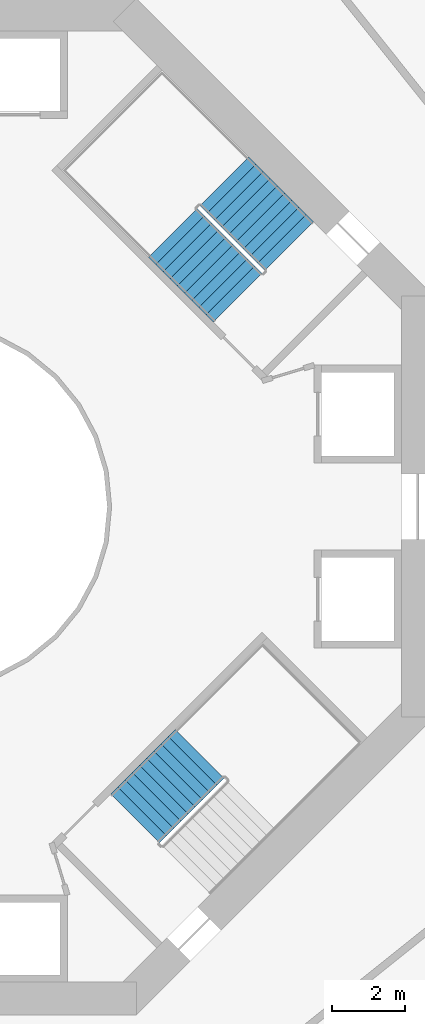
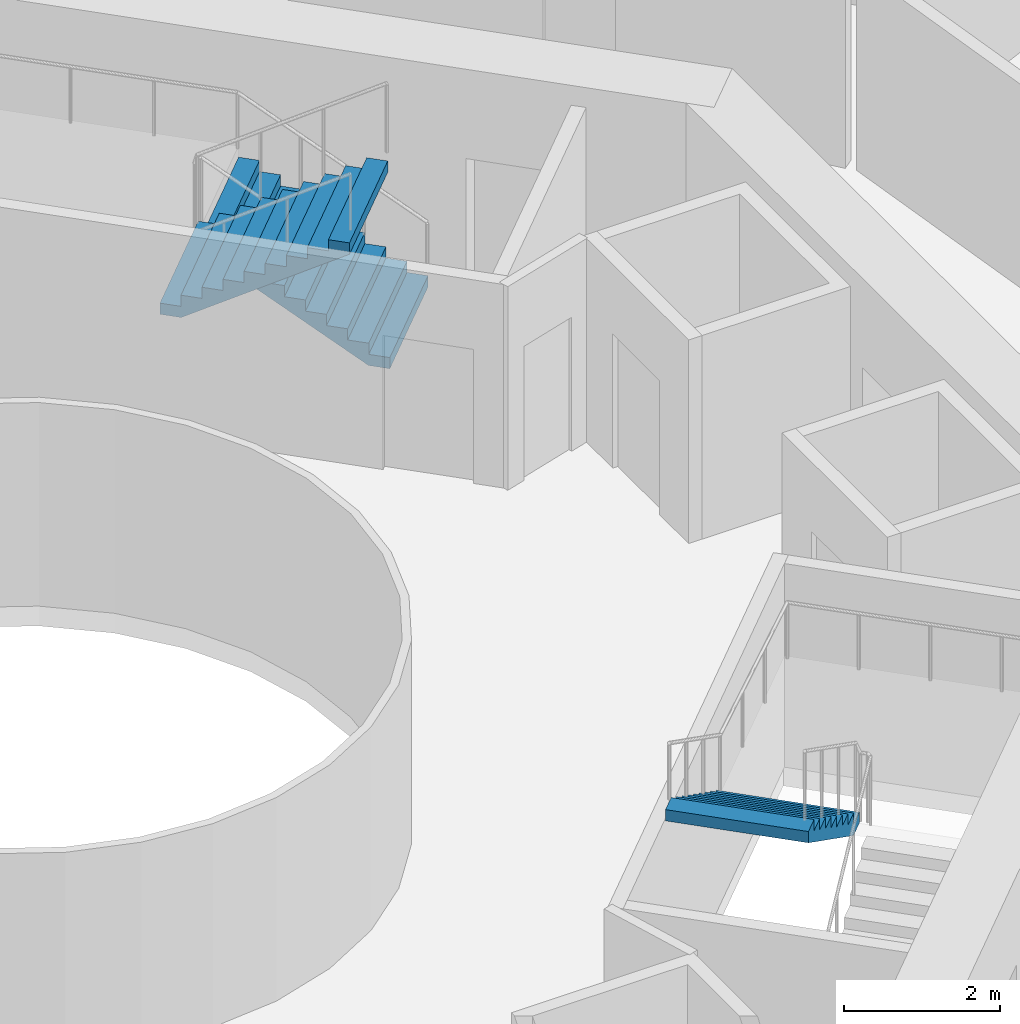
# One storey, part 27 of 28: 3 stair flights, 2 elements without a shape of their own.
"""IFC4 building model written with IfcOpenShell, lengths in metres."""

from ifc_helpers import new_model, si_unit, direction, frame, origin, place, context, subcontext, project, spatial, triangles, material, type_object, element, aggregate, save


model = new_model("IFC4")

# Units and contexts
model_context = context("Model", 3, precision=1e-05, world=origin(), true_north=direction((0.0, 1.0)))
body_context = subcontext(model_context, "Body", "Model", "MODEL_VIEW")
ifc_project = project(units=[si_unit("LENGTHUNIT", "METRE"), si_unit("AREAUNIT", "SQUARE_METRE"), si_unit("VOLUMEUNIT", "CUBIC_METRE"), si_unit("PLANEANGLEUNIT", "RADIAN"), si_unit("MASSUNIT", "GRAM", prefix="KILO")], contexts=[model_context])

# Site, building, storey
site_placement = place(None, origin())
site = spatial("IfcSite", under=ifc_project, at=site_placement, CompositionType="ELEMENT")
building_placement = place(site_placement, origin())
building = spatial("IfcBuilding", under=site, at=building_placement, Name="Verdalira Terraces Hotel", CompositionType="ELEMENT")
storey_placement = place(building_placement, frame((0.0, 0.0, 68.0)))
storey = spatial("IfcBuildingStorey", under=building, at=storey_placement, Name="L15", CompositionType="ELEMENT", Elevation=68.0)

# Stair, stair flights
ifc_material_1 = material(Name="Concrete C40", Category="concrete")
stair_type = type_object("IfcStairType", Name="Core stair 20 risers 1900 mm wide", PredefinedType="HALF_TURN_STAIR", material=ifc_material_1)
stair_1_placement = place(storey_placement, origin())
stair_1 = element("IfcStair", 1, at=stair_1_placement, inside=storey, type_object=stair_type, Name="L15 Exit stair ST1", PredefinedType="HALF_TURN_STAIR")
ifc_material_2 = material(Name="Concrete C40", Category="concrete")
stair_flight_type = type_object("IfcStairFlightType", Name="Core stair flight 20 risers 1900 mm wide", PredefinedType="STRAIGHT", material=ifc_material_2)
stair_flight_1_placement = place(storey_placement, frame((10.005615, 7.177246, 0.0), z_axis=(0.0, 0.0, 1.0), x_axis=(-0.707106781, 0.707106781, 0.0)))
stair_flight_1 = element("IfcStairFlight", 2, at=stair_flight_1_placement, type_object=stair_flight_type, Name="ST1 flight 1", NumberOfRisers=10, NumberOfTreads=9, PredefinedType="STRAIGHT", RiserHeight=0.175, TreadLength=0.28, context=body_context, shape_type="Tessellation", body=[
    triangles([(0.0, 0.949951, 0.0), (0.282715, 0.949951, 0.0), (2.52002, 0.949951, 1.398193), (0.0, -0.949951, 0.0), (0.282715, -0.949951, 0.0), (2.52002, -0.949951, 1.398193), (2.52002, 0.949951, 1.574951), (2.23999, 0.949951, 1.574951), (2.52002, -0.949951, 1.574951), (2.23999, -0.949951, 1.574951), (2.23999, 0.949951, 1.399902), (2.23999, -0.949951, 1.399902), (1.959961, 0.949951, 1.399902), (1.959961, -0.949951, 1.399902), (1.959961, 0.949951, 1.225098), (1.959961, -0.949951, 1.225098), (1.679932, 0.949951, 1.225098), (1.679932, 0.949951, 1.050049), (1.679932, -0.949951, 1.225098), (1.679932, -0.949951, 1.050049), (1.399902, 0.949951, 1.050049), (1.399902, 0.949951, 0.875), (1.399902, -0.949951, 1.050049), (1.399902, -0.949951, 0.875), (1.120117, 0.949951, 0.875), (1.120117, 0.949951, 0.699951), (1.120117, -0.949951, 0.875), (1.120117, -0.949951, 0.699951), (0.840088, 0.949951, 0.699951), (0.840088, 0.949951, 0.524902), (0.840088, -0.949951, 0.699951), (0.840088, -0.949951, 0.524902), (0.560059, 0.949951, 0.524902), (0.560059, 0.949951, 0.350098), (0.560059, -0.949951, 0.524902), (0.560059, -0.949951, 0.350098), (0.280029, 0.949951, 0.350098), (0.280029, 0.949951, 0.175049), (0.280029, -0.949951, 0.350098), (0.280029, -0.949951, 0.175049), (0.0, 0.949951, 0.175049), (0.0, -0.949951, 0.175049), (0.0, -0.890579, 0.0), (0.0, -0.890579, 0.175049), (0.0, -0.831207, 0.0), (0.0, -0.831207, 0.175049), (0.0, -0.771835, 0.0), (0.0, -0.771835, 0.175049), (0.0, -0.712463, 0.0), (0.0, -0.712463, 0.175049), (0.0, -0.653091, 0.0), (0.0, -0.653091, 0.175049), (0.0, -0.593719, 0.0), (0.0, -0.593719, 0.175049), (0.0, -0.534348, 0.0), (0.0, -0.534348, 0.175049), (0.0, -0.474976, 0.0), (0.0, -0.474976, 0.175049), (0.0, -0.415604, 0.0), (0.0, -0.415604, 0.175049), (0.0, -0.356232, 0.0), (0.0, -0.356232, 0.175049), (0.0, -0.29686, 0.0), (0.0, -0.29686, 0.175049), (0.0, -0.237488, 0.0), (0.0, -0.237488, 0.175049), (0.0, -0.178116, 0.0), (0.0, -0.178116, 0.175049), (0.0, -0.118744, 0.0), (0.0, -0.118744, 0.175049), (0.0, -0.059372, 0.0), (0.0, -0.059372, 0.175049), (0.0, 0.0, 0.0), (0.0, 0.0, 0.175049), (0.0, 0.059372, 0.0), (0.0, 0.059372, 0.175049), (0.0, 0.118744, 0.0), (0.0, 0.118744, 0.175049), (0.0, 0.178116, 0.0), (0.0, 0.178116, 0.175049), (0.0, 0.237488, 0.0), (0.0, 0.237488, 0.175049), (0.0, 0.29686, 0.0), (0.0, 0.29686, 0.175049), (0.0, 0.356232, 0.0), (0.0, 0.356232, 0.175049), (0.0, 0.415604, 0.0), (0.0, 0.415604, 0.175049), (0.0, 0.474976, 0.0), (0.0, 0.474976, 0.175049), (0.0, 0.534348, 0.0), (0.0, 0.534348, 0.175049), (0.0, 0.593719, 0.0), (0.0, 0.593719, 0.175049), (0.0, 0.653091, 0.0), (0.0, 0.653091, 0.175049), (0.0, 0.712463, 0.0), (0.0, 0.712463, 0.175049), (0.0, 0.771835, 0.0), (0.0, 0.771835, 0.175049), (0.0, 0.831207, 0.0), (0.0, 0.831207, 0.175049), (0.0, 0.890579, 0.0), (0.0, 0.890579, 0.175049), (2.52002, -0.890579, 1.574951), (2.52002, -0.831207, 1.574951), (2.52002, -0.771835, 1.574951), (2.52002, -0.712463, 1.574951), (2.52002, -0.653091, 1.574951), (2.52002, -0.593719, 1.574951), (2.52002, -0.534348, 1.574951), (2.52002, -0.474976, 1.574951), (2.52002, -0.415604, 1.574951), (2.52002, -0.356232, 1.574951), (2.52002, -0.29686, 1.574951), (2.52002, -0.237488, 1.574951), (2.52002, -0.178116, 1.574951), (2.52002, -0.118744, 1.574951), (2.52002, -0.059372, 1.574951), (2.52002, 0.0, 1.574951), (2.52002, 0.059372, 1.574951), (2.52002, 0.118744, 1.574951), (2.52002, 0.178116, 1.574951), (2.52002, 0.237488, 1.574951), (2.52002, 0.29686, 1.574951), (2.52002, 0.356232, 1.574951), (2.52002, 0.415604, 1.574951), (2.52002, 0.474976, 1.574951), (2.52002, 0.534348, 1.574951), (2.52002, 0.593719, 1.574951), (2.52002, 0.653091, 1.574951), (2.52002, 0.712463, 1.574951), (2.52002, 0.771835, 1.574951), (2.52002, 0.831207, 1.574951), (2.52002, 0.890579, 1.574951), (2.52002, -0.890579, 1.398193), (2.52002, -0.831207, 1.398193), (2.52002, -0.771835, 1.398193), (2.52002, -0.712463, 1.398193), (2.52002, -0.653091, 1.398193), (2.52002, -0.593719, 1.398193), (2.52002, -0.534348, 1.398193), (2.52002, -0.474976, 1.398193), (2.52002, -0.415604, 1.398193), (2.52002, -0.356232, 1.398193), (2.52002, -0.29686, 1.398193), (2.52002, -0.237488, 1.398193), (2.52002, -0.178116, 1.398193), (2.52002, -0.118744, 1.398193), (2.52002, -0.059372, 1.398193), (2.52002, 0.0, 1.398193), (2.52002, 0.059372, 1.398193), (2.52002, 0.118744, 1.398193), (2.52002, 0.178116, 1.398193), (2.52002, 0.237488, 1.398193), (2.52002, 0.29686, 1.398193), (2.52002, 0.356232, 1.398193), (2.52002, 0.415604, 1.398193), (2.52002, 0.474976, 1.398193), (2.52002, 0.534348, 1.398193), (2.52002, 0.593719, 1.398193), (2.52002, 0.653091, 1.398193), (2.52002, 0.712463, 1.398193), (2.52002, 0.771835, 1.398193), (2.52002, 0.831207, 1.398193), (2.52002, 0.890579, 1.398193)], [[1, 3, 2], [4, 5, 6], [3, 8, 7], [6, 9, 10], [3, 11, 8], [6, 10, 12], [3, 13, 11], [6, 12, 14], [3, 15, 13], [6, 14, 16], [15, 18, 17], [16, 19, 20], [3, 18, 15], [6, 16, 20], [18, 22, 21], [20, 23, 24], [3, 22, 18], [6, 20, 24], [22, 26, 25], [24, 27, 28], [3, 26, 22], [6, 24, 28], [26, 30, 29], [28, 31, 32], [3, 30, 26], [6, 28, 32], [1, 30, 3], [4, 6, 32], [30, 34, 33], [32, 35, 36], [34, 38, 37], [36, 39, 40], [30, 38, 34], [32, 36, 40], [1, 38, 30], [4, 32, 40], [38, 1, 41], [40, 42, 4], [4, 44, 43], [4, 42, 44], [43, 46, 45], [43, 44, 46], [45, 48, 47], [45, 46, 48], [47, 50, 49], [47, 48, 50], [49, 52, 51], [49, 50, 52], [51, 54, 53], [51, 52, 54], [53, 56, 55], [53, 54, 56], [55, 58, 57], [55, 56, 58], [57, 60, 59], [57, 58, 60], [59, 62, 61], [59, 60, 62], [61, 64, 63], [61, 62, 64], [63, 66, 65], [63, 64, 66], [65, 68, 67], [65, 66, 68], [67, 70, 69], [67, 68, 70], [69, 72, 71], [69, 70, 72], [71, 74, 73], [71, 72, 74], [73, 76, 75], [73, 74, 76], [75, 78, 77], [75, 76, 78], [77, 80, 79], [77, 78, 80], [79, 82, 81], [79, 80, 82], [81, 84, 83], [81, 82, 84], [83, 86, 85], [83, 84, 86], [85, 88, 87], [85, 86, 88], [87, 90, 89], [87, 88, 90], [89, 92, 91], [89, 90, 92], [91, 94, 93], [91, 92, 94], [93, 96, 95], [93, 94, 96], [95, 98, 97], [95, 96, 98], [97, 100, 99], [97, 98, 100], [99, 102, 101], [99, 100, 102], [101, 104, 103], [101, 102, 104], [103, 41, 1], [103, 104, 41], [42, 40, 44], [44, 40, 46], [46, 40, 48], [48, 40, 50], [50, 40, 52], [52, 40, 54], [54, 40, 56], [56, 40, 58], [58, 40, 60], [60, 40, 62], [62, 40, 64], [64, 40, 66], [66, 40, 68], [68, 40, 70], [70, 40, 72], [72, 40, 74], [74, 40, 76], [76, 40, 78], [78, 40, 80], [80, 40, 82], [82, 40, 84], [84, 40, 86], [86, 40, 88], [88, 40, 90], [90, 40, 92], [92, 40, 94], [94, 40, 96], [96, 40, 98], [98, 40, 100], [100, 40, 102], [102, 40, 104], [104, 40, 41], [41, 40, 38], [40, 37, 38], [40, 39, 37], [39, 34, 37], [39, 36, 34], [36, 33, 34], [36, 35, 33], [35, 30, 33], [35, 32, 30], [32, 29, 30], [32, 31, 29], [31, 26, 29], [31, 28, 26], [28, 25, 26], [28, 27, 25], [27, 22, 25], [27, 24, 22], [24, 21, 22], [24, 23, 21], [23, 18, 21], [23, 20, 18], [20, 17, 18], [20, 19, 17], [19, 15, 17], [19, 16, 15], [16, 13, 15], [16, 14, 13], [14, 11, 13], [14, 12, 11], [12, 8, 11], [12, 10, 8], [9, 105, 10], [105, 106, 10], [106, 107, 10], [107, 108, 10], [108, 109, 10], [109, 110, 10], [110, 111, 10], [111, 112, 10], [112, 113, 10], [113, 114, 10], [114, 115, 10], [115, 116, 10], [116, 117, 10], [117, 118, 10], [118, 119, 10], [119, 120, 10], [120, 121, 10], [121, 122, 10], [122, 123, 10], [123, 124, 10], [124, 125, 10], [125, 126, 10], [126, 127, 10], [127, 128, 10], [128, 129, 10], [129, 130, 10], [130, 131, 10], [131, 132, 10], [132, 133, 10], [133, 134, 10], [134, 135, 10], [135, 7, 10], [7, 8, 10], [9, 136, 105], [9, 6, 136], [105, 137, 106], [105, 136, 137], [106, 138, 107], [106, 137, 138], [107, 139, 108], [107, 138, 139], [108, 140, 109], [108, 139, 140], [109, 141, 110], [109, 140, 141], [110, 142, 111], [110, 141, 142], [111, 143, 112], [111, 142, 143], [112, 144, 113], [112, 143, 144], [113, 145, 114], [113, 144, 145], [114, 146, 115], [114, 145, 146], [115, 147, 116], [115, 146, 147], [116, 148, 117], [116, 147, 148], [117, 149, 118], [117, 148, 149], [118, 150, 119], [118, 149, 150], [119, 151, 120], [119, 150, 151], [120, 152, 121], [120, 151, 152], [121, 153, 122], [121, 152, 153], [122, 154, 123], [122, 153, 154], [123, 155, 124], [123, 154, 155], [124, 156, 125], [124, 155, 156], [125, 157, 126], [125, 156, 157], [126, 158, 127], [126, 157, 158], [127, 159, 128], [127, 158, 159], [128, 160, 129], [128, 159, 160], [129, 161, 130], [129, 160, 161], [130, 162, 131], [130, 161, 162], [131, 163, 132], [131, 162, 163], [132, 164, 133], [132, 163, 164], [133, 165, 134], [133, 164, 165], [134, 166, 135], [134, 165, 166], [135, 3, 7], [135, 166, 3], [6, 5, 136], [136, 5, 137], [137, 5, 138], [138, 5, 139], [139, 5, 140], [140, 5, 141], [141, 5, 142], [142, 5, 143], [143, 5, 144], [144, 5, 145], [145, 5, 146], [146, 5, 147], [147, 5, 148], [148, 5, 149], [149, 5, 150], [150, 5, 151], [151, 5, 152], [152, 5, 153], [153, 5, 154], [154, 5, 155], [155, 5, 156], [156, 5, 157], [157, 5, 158], [158, 5, 159], [159, 5, 160], [160, 5, 161], [161, 5, 162], [162, 5, 163], [163, 5, 164], [164, 5, 165], [165, 5, 166], [166, 5, 3], [3, 5, 2], [4, 43, 5], [43, 45, 5], [45, 47, 5], [47, 49, 5], [49, 51, 5], [51, 53, 5], [53, 55, 5], [55, 57, 5], [57, 59, 5], [59, 61, 5], [61, 63, 5], [63, 65, 5], [65, 67, 5], [67, 69, 5], [69, 71, 5], [71, 73, 5], [73, 75, 5], [75, 77, 5], [77, 79, 5], [79, 81, 5], [81, 83, 5], [83, 85, 5], [85, 87, 5], [87, 89, 5], [89, 91, 5], [91, 93, 5], [93, 95, 5], [95, 97, 5], [97, 99, 5], [99, 101, 5], [101, 103, 5], [103, 1, 5], [1, 2, 5]], closed=True),
])
stair_flight_2_placement = place(storey_placement, frame((6.809326, 7.544922, 1.75), z_axis=(0.0, 0.0, 1.0), x_axis=(0.707106781, -0.707106781, 0.0)))
stair_flight_2 = element("IfcStairFlight", 3, at=stair_flight_2_placement, type_object=stair_flight_type, Name="ST1 flight 2", NumberOfRisers=10, NumberOfTreads=9, PredefinedType="STRAIGHT", RiserHeight=0.175, TreadLength=0.28, context=body_context, shape_type="Tessellation", body=[
    triangles([(0.0, 0.949951, 0.0), (0.282715, 0.949951, 0.0), (2.52002, 0.949951, 1.398193), (0.0, -0.949951, 0.0), (0.282715, -0.949951, 0.0), (2.52002, -0.949951, 1.398193), (2.52002, 0.949951, 1.574951), (2.23999, 0.949951, 1.574951), (2.52002, -0.949951, 1.574951), (2.23999, -0.949951, 1.574951), (2.23999, 0.949951, 1.399902), (2.23999, -0.949951, 1.399902), (1.959961, 0.949951, 1.399902), (1.959961, -0.949951, 1.399902), (1.959961, 0.949951, 1.225098), (1.959961, -0.949951, 1.225098), (1.679932, 0.949951, 1.225098), (1.679932, 0.949951, 1.050049), (1.679932, -0.949951, 1.225098), (1.679932, -0.949951, 1.050049), (1.399902, 0.949951, 1.050049), (1.399902, 0.949951, 0.875), (1.399902, -0.949951, 1.050049), (1.399902, -0.949951, 0.875), (1.120117, 0.949951, 0.875), (1.120117, 0.949951, 0.699951), (1.120117, -0.949951, 0.875), (1.120117, -0.949951, 0.699951), (0.840088, 0.949951, 0.699951), (0.840088, 0.949951, 0.524902), (0.840088, -0.949951, 0.699951), (0.840088, -0.949951, 0.524902), (0.560059, 0.949951, 0.524902), (0.560059, 0.949951, 0.350098), (0.560059, -0.949951, 0.524902), (0.560059, -0.949951, 0.350098), (0.280029, 0.949951, 0.350098), (0.280029, 0.949951, 0.175049), (0.280029, -0.949951, 0.350098), (0.280029, -0.949951, 0.175049), (0.0, 0.949951, 0.175049), (0.0, -0.949951, 0.175049), (0.0, -0.890579, 0.0), (0.0, -0.890579, 0.175049), (0.0, -0.831207, 0.0), (0.0, -0.831207, 0.175049), (0.0, -0.771835, 0.0), (0.0, -0.771835, 0.175049), (0.0, -0.712463, 0.0), (0.0, -0.712463, 0.175049), (0.0, -0.653091, 0.0), (0.0, -0.653091, 0.175049), (0.0, -0.593719, 0.0), (0.0, -0.593719, 0.175049), (0.0, -0.534348, 0.0), (0.0, -0.534348, 0.175049), (0.0, -0.474976, 0.0), (0.0, -0.474976, 0.175049), (0.0, -0.415604, 0.0), (0.0, -0.415604, 0.175049), (0.0, -0.356232, 0.0), (0.0, -0.356232, 0.175049), (0.0, -0.29686, 0.0), (0.0, -0.29686, 0.175049), (0.0, -0.237488, 0.0), (0.0, -0.237488, 0.175049), (0.0, -0.178116, 0.0), (0.0, -0.178116, 0.175049), (0.0, -0.118744, 0.0), (0.0, -0.118744, 0.175049), (0.0, -0.059372, 0.0), (0.0, -0.059372, 0.175049), (0.0, 0.0, 0.0), (0.0, 0.0, 0.175049), (0.0, 0.059372, 0.0), (0.0, 0.059372, 0.175049), (0.0, 0.118744, 0.0), (0.0, 0.118744, 0.175049), (0.0, 0.178116, 0.0), (0.0, 0.178116, 0.175049), (0.0, 0.237488, 0.0), (0.0, 0.237488, 0.175049), (0.0, 0.29686, 0.0), (0.0, 0.29686, 0.175049), (0.0, 0.356232, 0.0), (0.0, 0.356232, 0.175049), (0.0, 0.415604, 0.0), (0.0, 0.415604, 0.175049), (0.0, 0.474976, 0.0), (0.0, 0.474976, 0.175049), (0.0, 0.534348, 0.0), (0.0, 0.534348, 0.175049), (0.0, 0.593719, 0.0), (0.0, 0.593719, 0.175049), (0.0, 0.653091, 0.0), (0.0, 0.653091, 0.175049), (0.0, 0.712463, 0.0), (0.0, 0.712463, 0.175049), (0.0, 0.771835, 0.0), (0.0, 0.771835, 0.175049), (0.0, 0.831207, 0.0), (0.0, 0.831207, 0.175049), (0.0, 0.890579, 0.0), (0.0, 0.890579, 0.175049), (2.52002, -0.890579, 1.574951), (2.52002, -0.831207, 1.574951), (2.52002, -0.771835, 1.574951), (2.52002, -0.712463, 1.574951), (2.52002, -0.653091, 1.574951), (2.52002, -0.593719, 1.574951), (2.52002, -0.534348, 1.574951), (2.52002, -0.474976, 1.574951), (2.52002, -0.415604, 1.574951), (2.52002, -0.356232, 1.574951), (2.52002, -0.29686, 1.574951), (2.52002, -0.237488, 1.574951), (2.52002, -0.178116, 1.574951), (2.52002, -0.118744, 1.574951), (2.52002, -0.059372, 1.574951), (2.52002, 0.0, 1.574951), (2.52002, 0.059372, 1.574951), (2.52002, 0.118744, 1.574951), (2.52002, 0.178116, 1.574951), (2.52002, 0.237488, 1.574951), (2.52002, 0.29686, 1.574951), (2.52002, 0.356232, 1.574951), (2.52002, 0.415604, 1.574951), (2.52002, 0.474976, 1.574951), (2.52002, 0.534348, 1.574951), (2.52002, 0.593719, 1.574951), (2.52002, 0.653091, 1.574951), (2.52002, 0.712463, 1.574951), (2.52002, 0.771835, 1.574951), (2.52002, 0.831207, 1.574951), (2.52002, 0.890579, 1.574951), (2.52002, -0.890579, 1.398193), (2.52002, -0.831207, 1.398193), (2.52002, -0.771835, 1.398193), (2.52002, -0.712463, 1.398193), (2.52002, -0.653091, 1.398193), (2.52002, -0.593719, 1.398193), (2.52002, -0.534348, 1.398193), (2.52002, -0.474976, 1.398193), (2.52002, -0.415604, 1.398193), (2.52002, -0.356232, 1.398193), (2.52002, -0.29686, 1.398193), (2.52002, -0.237488, 1.398193), (2.52002, -0.178116, 1.398193), (2.52002, -0.118744, 1.398193), (2.52002, -0.059372, 1.398193), (2.52002, 0.0, 1.398193), (2.52002, 0.059372, 1.398193), (2.52002, 0.118744, 1.398193), (2.52002, 0.178116, 1.398193), (2.52002, 0.237488, 1.398193), (2.52002, 0.29686, 1.398193), (2.52002, 0.356232, 1.398193), (2.52002, 0.415604, 1.398193), (2.52002, 0.474976, 1.398193), (2.52002, 0.534348, 1.398193), (2.52002, 0.593719, 1.398193), (2.52002, 0.653091, 1.398193), (2.52002, 0.712463, 1.398193), (2.52002, 0.771835, 1.398193), (2.52002, 0.831207, 1.398193), (2.52002, 0.890579, 1.398193)], [[1, 3, 2], [4, 5, 6], [3, 8, 7], [6, 9, 10], [3, 11, 8], [6, 10, 12], [3, 13, 11], [6, 12, 14], [3, 15, 13], [6, 14, 16], [15, 18, 17], [16, 19, 20], [3, 18, 15], [6, 16, 20], [18, 22, 21], [20, 23, 24], [3, 22, 18], [6, 20, 24], [22, 26, 25], [24, 27, 28], [3, 26, 22], [6, 24, 28], [26, 30, 29], [28, 31, 32], [3, 30, 26], [6, 28, 32], [1, 30, 3], [4, 6, 32], [30, 34, 33], [32, 35, 36], [34, 38, 37], [36, 39, 40], [30, 38, 34], [32, 36, 40], [1, 38, 30], [4, 32, 40], [38, 1, 41], [40, 42, 4], [4, 44, 43], [4, 42, 44], [43, 46, 45], [43, 44, 46], [45, 48, 47], [45, 46, 48], [47, 50, 49], [47, 48, 50], [49, 52, 51], [49, 50, 52], [51, 54, 53], [51, 52, 54], [53, 56, 55], [53, 54, 56], [55, 58, 57], [55, 56, 58], [57, 60, 59], [57, 58, 60], [59, 62, 61], [59, 60, 62], [61, 64, 63], [61, 62, 64], [63, 66, 65], [63, 64, 66], [65, 68, 67], [65, 66, 68], [67, 70, 69], [67, 68, 70], [69, 72, 71], [69, 70, 72], [71, 74, 73], [71, 72, 74], [73, 76, 75], [73, 74, 76], [75, 78, 77], [75, 76, 78], [77, 80, 79], [77, 78, 80], [79, 82, 81], [79, 80, 82], [81, 84, 83], [81, 82, 84], [83, 86, 85], [83, 84, 86], [85, 88, 87], [85, 86, 88], [87, 90, 89], [87, 88, 90], [89, 92, 91], [89, 90, 92], [91, 94, 93], [91, 92, 94], [93, 96, 95], [93, 94, 96], [95, 98, 97], [95, 96, 98], [97, 100, 99], [97, 98, 100], [99, 102, 101], [99, 100, 102], [101, 104, 103], [101, 102, 104], [103, 41, 1], [103, 104, 41], [42, 40, 44], [44, 40, 46], [46, 40, 48], [48, 40, 50], [50, 40, 52], [52, 40, 54], [54, 40, 56], [56, 40, 58], [58, 40, 60], [60, 40, 62], [62, 40, 64], [64, 40, 66], [66, 40, 68], [68, 40, 70], [70, 40, 72], [72, 40, 74], [74, 40, 76], [76, 40, 78], [78, 40, 80], [80, 40, 82], [82, 40, 84], [84, 40, 86], [86, 40, 88], [88, 40, 90], [90, 40, 92], [92, 40, 94], [94, 40, 96], [96, 40, 98], [98, 40, 100], [100, 40, 102], [102, 40, 104], [104, 40, 41], [41, 40, 38], [40, 37, 38], [40, 39, 37], [39, 34, 37], [39, 36, 34], [36, 33, 34], [36, 35, 33], [35, 30, 33], [35, 32, 30], [32, 29, 30], [32, 31, 29], [31, 26, 29], [31, 28, 26], [28, 25, 26], [28, 27, 25], [27, 22, 25], [27, 24, 22], [24, 21, 22], [24, 23, 21], [23, 18, 21], [23, 20, 18], [20, 17, 18], [20, 19, 17], [19, 15, 17], [19, 16, 15], [16, 13, 15], [16, 14, 13], [14, 11, 13], [14, 12, 11], [12, 8, 11], [12, 10, 8], [9, 105, 10], [105, 106, 10], [106, 107, 10], [107, 108, 10], [108, 109, 10], [109, 110, 10], [110, 111, 10], [111, 112, 10], [112, 113, 10], [113, 114, 10], [114, 115, 10], [115, 116, 10], [116, 117, 10], [117, 118, 10], [118, 119, 10], [119, 120, 10], [120, 121, 10], [121, 122, 10], [122, 123, 10], [123, 124, 10], [124, 125, 10], [125, 126, 10], [126, 127, 10], [127, 128, 10], [128, 129, 10], [129, 130, 10], [130, 131, 10], [131, 132, 10], [132, 133, 10], [133, 134, 10], [134, 135, 10], [135, 7, 10], [7, 8, 10], [9, 136, 105], [9, 6, 136], [105, 137, 106], [105, 136, 137], [106, 138, 107], [106, 137, 138], [107, 139, 108], [107, 138, 139], [108, 140, 109], [108, 139, 140], [109, 141, 110], [109, 140, 141], [110, 142, 111], [110, 141, 142], [111, 143, 112], [111, 142, 143], [112, 144, 113], [112, 143, 144], [113, 145, 114], [113, 144, 145], [114, 146, 115], [114, 145, 146], [115, 147, 116], [115, 146, 147], [116, 148, 117], [116, 147, 148], [117, 149, 118], [117, 148, 149], [118, 150, 119], [118, 149, 150], [119, 151, 120], [119, 150, 151], [120, 152, 121], [120, 151, 152], [121, 153, 122], [121, 152, 153], [122, 154, 123], [122, 153, 154], [123, 155, 124], [123, 154, 155], [124, 156, 125], [124, 155, 156], [125, 157, 126], [125, 156, 157], [126, 158, 127], [126, 157, 158], [127, 159, 128], [127, 158, 159], [128, 160, 129], [128, 159, 160], [129, 161, 130], [129, 160, 161], [130, 162, 131], [130, 161, 162], [131, 163, 132], [131, 162, 163], [132, 164, 133], [132, 163, 164], [133, 165, 134], [133, 164, 165], [134, 166, 135], [134, 165, 166], [135, 3, 7], [135, 166, 3], [6, 5, 136], [136, 5, 137], [137, 5, 138], [138, 5, 139], [139, 5, 140], [140, 5, 141], [141, 5, 142], [142, 5, 143], [143, 5, 144], [144, 5, 145], [145, 5, 146], [146, 5, 147], [147, 5, 148], [148, 5, 149], [149, 5, 150], [150, 5, 151], [151, 5, 152], [152, 5, 153], [153, 5, 154], [154, 5, 155], [155, 5, 156], [156, 5, 157], [157, 5, 158], [158, 5, 159], [159, 5, 160], [160, 5, 161], [161, 5, 162], [162, 5, 163], [163, 5, 164], [164, 5, 165], [165, 5, 166], [166, 5, 3], [3, 5, 2], [4, 43, 5], [43, 45, 5], [45, 47, 5], [47, 49, 5], [49, 51, 5], [51, 53, 5], [53, 55, 5], [55, 57, 5], [57, 59, 5], [59, 61, 5], [61, 63, 5], [63, 65, 5], [65, 67, 5], [67, 69, 5], [69, 71, 5], [71, 73, 5], [73, 75, 5], [75, 77, 5], [77, 79, 5], [79, 81, 5], [81, 83, 5], [83, 85, 5], [85, 87, 5], [87, 89, 5], [89, 91, 5], [91, 93, 5], [93, 95, 5], [95, 97, 5], [97, 99, 5], [99, 101, 5], [101, 103, 5], [103, 1, 5], [1, 2, 5]], closed=True),
])
aggregate(stair_1, [stair_flight_1, stair_flight_2])

# Stair, stair flight
stair_2_placement = place(storey_placement, origin())
stair_2 = element("IfcStair", 4, at=stair_2_placement, inside=storey, type_object=stair_type, Name="L15 Exit stair ST3", PredefinedType="HALF_TURN_STAIR")
stair_flight_3_placement = place(storey_placement, frame((7.544922, -6.809326, 1.75), z_axis=(0.0, 0.0, 1.0), x_axis=(-0.707106781, -0.707106781, 0.0)))
stair_flight_3 = element("IfcStairFlight", 5, at=stair_flight_3_placement, type_object=stair_flight_type, Name="ST3 flight 2", NumberOfRisers=10, NumberOfTreads=9, PredefinedType="STRAIGHT", RiserHeight=0.175, TreadLength=0.28, context=body_context, shape_type="Tessellation", body=[
    triangles([(0.0, 0.949951, 0.0), (0.282715, 0.949951, 0.0), (2.52002, 0.949951, 1.398193), (0.0, -0.949951, 0.0), (0.282715, -0.949951, 0.0), (2.52002, -0.949951, 1.398193), (2.52002, 0.949951, 1.574951), (2.23999, 0.949951, 1.574951), (2.52002, -0.949951, 1.574951), (2.23999, -0.949951, 1.574951), (2.23999, 0.949951, 1.399902), (2.23999, -0.949951, 1.399902), (1.959961, 0.949951, 1.399902), (1.959961, -0.949951, 1.399902), (1.959961, 0.949951, 1.225098), (1.959961, -0.949951, 1.225098), (1.679932, 0.949951, 1.225098), (1.679932, 0.949951, 1.050049), (1.679932, -0.949951, 1.225098), (1.679932, -0.949951, 1.050049), (1.399902, 0.949951, 1.050049), (1.399902, 0.949951, 0.875), (1.399902, -0.949951, 1.050049), (1.399902, -0.949951, 0.875), (1.120117, 0.949951, 0.875), (1.120117, 0.949951, 0.699951), (1.120117, -0.949951, 0.875), (1.120117, -0.949951, 0.699951), (0.840088, 0.949951, 0.699951), (0.840088, 0.949951, 0.524902), (0.840088, -0.949951, 0.699951), (0.840088, -0.949951, 0.524902), (0.560059, 0.949951, 0.524902), (0.560059, 0.949951, 0.350098), (0.560059, -0.949951, 0.524902), (0.560059, -0.949951, 0.350098), (0.280029, 0.949951, 0.350098), (0.280029, 0.949951, 0.175049), (0.280029, -0.949951, 0.350098), (0.280029, -0.949951, 0.175049), (0.0, 0.949951, 0.175049), (0.0, -0.949951, 0.175049), (0.0, -0.890579, 0.0), (0.0, -0.890579, 0.175049), (0.0, -0.831207, 0.0), (0.0, -0.831207, 0.175049), (0.0, -0.771835, 0.0), (0.0, -0.771835, 0.175049), (0.0, -0.712463, 0.0), (0.0, -0.712463, 0.175049), (0.0, -0.653091, 0.0), (0.0, -0.653091, 0.175049), (0.0, -0.593719, 0.0), (0.0, -0.593719, 0.175049), (0.0, -0.534348, 0.0), (0.0, -0.534348, 0.175049), (0.0, -0.474976, 0.0), (0.0, -0.474976, 0.175049), (0.0, -0.415604, 0.0), (0.0, -0.415604, 0.175049), (0.0, -0.356232, 0.0), (0.0, -0.356232, 0.175049), (0.0, -0.29686, 0.0), (0.0, -0.29686, 0.175049), (0.0, -0.237488, 0.0), (0.0, -0.237488, 0.175049), (0.0, -0.178116, 0.0), (0.0, -0.178116, 0.175049), (0.0, -0.118744, 0.0), (0.0, -0.118744, 0.175049), (0.0, -0.059372, 0.0), (0.0, -0.059372, 0.175049), (0.0, 0.0, 0.0), (0.0, 0.0, 0.175049), (0.0, 0.059372, 0.0), (0.0, 0.059372, 0.175049), (0.0, 0.118744, 0.0), (0.0, 0.118744, 0.175049), (0.0, 0.178116, 0.0), (0.0, 0.178116, 0.175049), (0.0, 0.237488, 0.0), (0.0, 0.237488, 0.175049), (0.0, 0.29686, 0.0), (0.0, 0.29686, 0.175049), (0.0, 0.356232, 0.0), (0.0, 0.356232, 0.175049), (0.0, 0.415604, 0.0), (0.0, 0.415604, 0.175049), (0.0, 0.474976, 0.0), (0.0, 0.474976, 0.175049), (0.0, 0.534348, 0.0), (0.0, 0.534348, 0.175049), (0.0, 0.593719, 0.0), (0.0, 0.593719, 0.175049), (0.0, 0.653091, 0.0), (0.0, 0.653091, 0.175049), (0.0, 0.712463, 0.0), (0.0, 0.712463, 0.175049), (0.0, 0.771835, 0.0), (0.0, 0.771835, 0.175049), (0.0, 0.831207, 0.0), (0.0, 0.831207, 0.175049), (0.0, 0.890579, 0.0), (0.0, 0.890579, 0.175049), (2.52002, -0.890579, 1.574951), (2.52002, -0.831207, 1.574951), (2.52002, -0.771835, 1.574951), (2.52002, -0.712463, 1.574951), (2.52002, -0.653091, 1.574951), (2.52002, -0.593719, 1.574951), (2.52002, -0.534348, 1.574951), (2.52002, -0.474976, 1.574951), (2.52002, -0.415604, 1.574951), (2.52002, -0.356232, 1.574951), (2.52002, -0.29686, 1.574951), (2.52002, -0.237488, 1.574951), (2.52002, -0.178116, 1.574951), (2.52002, -0.118744, 1.574951), (2.52002, -0.059372, 1.574951), (2.52002, 0.0, 1.574951), (2.52002, 0.059372, 1.574951), (2.52002, 0.118744, 1.574951), (2.52002, 0.178116, 1.574951), (2.52002, 0.237488, 1.574951), (2.52002, 0.29686, 1.574951), (2.52002, 0.356232, 1.574951), (2.52002, 0.415604, 1.574951), (2.52002, 0.474976, 1.574951), (2.52002, 0.534348, 1.574951), (2.52002, 0.593719, 1.574951), (2.52002, 0.653091, 1.574951), (2.52002, 0.712463, 1.574951), (2.52002, 0.771835, 1.574951), (2.52002, 0.831207, 1.574951), (2.52002, 0.890579, 1.574951), (2.52002, -0.890579, 1.398193), (2.52002, -0.831207, 1.398193), (2.52002, -0.771835, 1.398193), (2.52002, -0.712463, 1.398193), (2.52002, -0.653091, 1.398193), (2.52002, -0.593719, 1.398193), (2.52002, -0.534348, 1.398193), (2.52002, -0.474976, 1.398193), (2.52002, -0.415604, 1.398193), (2.52002, -0.356232, 1.398193), (2.52002, -0.29686, 1.398193), (2.52002, -0.237488, 1.398193), (2.52002, -0.178116, 1.398193), (2.52002, -0.118744, 1.398193), (2.52002, -0.059372, 1.398193), (2.52002, 0.0, 1.398193), (2.52002, 0.059372, 1.398193), (2.52002, 0.118744, 1.398193), (2.52002, 0.178116, 1.398193), (2.52002, 0.237488, 1.398193), (2.52002, 0.29686, 1.398193), (2.52002, 0.356232, 1.398193), (2.52002, 0.415604, 1.398193), (2.52002, 0.474976, 1.398193), (2.52002, 0.534348, 1.398193), (2.52002, 0.593719, 1.398193), (2.52002, 0.653091, 1.398193), (2.52002, 0.712463, 1.398193), (2.52002, 0.771835, 1.398193), (2.52002, 0.831207, 1.398193), (2.52002, 0.890579, 1.398193)], [[1, 3, 2], [4, 5, 6], [3, 8, 7], [6, 9, 10], [3, 11, 8], [6, 10, 12], [3, 13, 11], [6, 12, 14], [3, 15, 13], [6, 14, 16], [15, 18, 17], [16, 19, 20], [3, 18, 15], [6, 16, 20], [18, 22, 21], [20, 23, 24], [3, 22, 18], [6, 20, 24], [22, 26, 25], [24, 27, 28], [3, 26, 22], [6, 24, 28], [26, 30, 29], [28, 31, 32], [3, 30, 26], [6, 28, 32], [1, 30, 3], [4, 6, 32], [30, 34, 33], [32, 35, 36], [34, 38, 37], [36, 39, 40], [30, 38, 34], [32, 36, 40], [1, 38, 30], [4, 32, 40], [38, 1, 41], [40, 42, 4], [4, 44, 43], [4, 42, 44], [43, 46, 45], [43, 44, 46], [45, 48, 47], [45, 46, 48], [47, 50, 49], [47, 48, 50], [49, 52, 51], [49, 50, 52], [51, 54, 53], [51, 52, 54], [53, 56, 55], [53, 54, 56], [55, 58, 57], [55, 56, 58], [57, 60, 59], [57, 58, 60], [59, 62, 61], [59, 60, 62], [61, 64, 63], [61, 62, 64], [63, 66, 65], [63, 64, 66], [65, 68, 67], [65, 66, 68], [67, 70, 69], [67, 68, 70], [69, 72, 71], [69, 70, 72], [71, 74, 73], [71, 72, 74], [73, 76, 75], [73, 74, 76], [75, 78, 77], [75, 76, 78], [77, 80, 79], [77, 78, 80], [79, 82, 81], [79, 80, 82], [81, 84, 83], [81, 82, 84], [83, 86, 85], [83, 84, 86], [85, 88, 87], [85, 86, 88], [87, 90, 89], [87, 88, 90], [89, 92, 91], [89, 90, 92], [91, 94, 93], [91, 92, 94], [93, 96, 95], [93, 94, 96], [95, 98, 97], [95, 96, 98], [97, 100, 99], [97, 98, 100], [99, 102, 101], [99, 100, 102], [101, 104, 103], [101, 102, 104], [103, 41, 1], [103, 104, 41], [42, 40, 44], [44, 40, 46], [46, 40, 48], [48, 40, 50], [50, 40, 52], [52, 40, 54], [54, 40, 56], [56, 40, 58], [58, 40, 60], [60, 40, 62], [62, 40, 64], [64, 40, 66], [66, 40, 68], [68, 40, 70], [70, 40, 72], [72, 40, 74], [74, 40, 76], [76, 40, 78], [78, 40, 80], [80, 40, 82], [82, 40, 84], [84, 40, 86], [86, 40, 88], [88, 40, 90], [90, 40, 92], [92, 40, 94], [94, 40, 96], [96, 40, 98], [98, 40, 100], [100, 40, 102], [102, 40, 104], [104, 40, 41], [41, 40, 38], [40, 37, 38], [40, 39, 37], [39, 34, 37], [39, 36, 34], [36, 33, 34], [36, 35, 33], [35, 30, 33], [35, 32, 30], [32, 29, 30], [32, 31, 29], [31, 26, 29], [31, 28, 26], [28, 25, 26], [28, 27, 25], [27, 22, 25], [27, 24, 22], [24, 21, 22], [24, 23, 21], [23, 18, 21], [23, 20, 18], [20, 17, 18], [20, 19, 17], [19, 15, 17], [19, 16, 15], [16, 13, 15], [16, 14, 13], [14, 11, 13], [14, 12, 11], [12, 8, 11], [12, 10, 8], [9, 105, 10], [105, 106, 10], [106, 107, 10], [107, 108, 10], [108, 109, 10], [109, 110, 10], [110, 111, 10], [111, 112, 10], [112, 113, 10], [113, 114, 10], [114, 115, 10], [115, 116, 10], [116, 117, 10], [117, 118, 10], [118, 119, 10], [119, 120, 10], [120, 121, 10], [121, 122, 10], [122, 123, 10], [123, 124, 10], [124, 125, 10], [125, 126, 10], [126, 127, 10], [127, 128, 10], [128, 129, 10], [129, 130, 10], [130, 131, 10], [131, 132, 10], [132, 133, 10], [133, 134, 10], [134, 135, 10], [135, 7, 10], [7, 8, 10], [9, 136, 105], [9, 6, 136], [105, 137, 106], [105, 136, 137], [106, 138, 107], [106, 137, 138], [107, 139, 108], [107, 138, 139], [108, 140, 109], [108, 139, 140], [109, 141, 110], [109, 140, 141], [110, 142, 111], [110, 141, 142], [111, 143, 112], [111, 142, 143], [112, 144, 113], [112, 143, 144], [113, 145, 114], [113, 144, 145], [114, 146, 115], [114, 145, 146], [115, 147, 116], [115, 146, 147], [116, 148, 117], [116, 147, 148], [117, 149, 118], [117, 148, 149], [118, 150, 119], [118, 149, 150], [119, 151, 120], [119, 150, 151], [120, 152, 121], [120, 151, 152], [121, 153, 122], [121, 152, 153], [122, 154, 123], [122, 153, 154], [123, 155, 124], [123, 154, 155], [124, 156, 125], [124, 155, 156], [125, 157, 126], [125, 156, 157], [126, 158, 127], [126, 157, 158], [127, 159, 128], [127, 158, 159], [128, 160, 129], [128, 159, 160], [129, 161, 130], [129, 160, 161], [130, 162, 131], [130, 161, 162], [131, 163, 132], [131, 162, 163], [132, 164, 133], [132, 163, 164], [133, 165, 134], [133, 164, 165], [134, 166, 135], [134, 165, 166], [135, 3, 7], [135, 166, 3], [6, 5, 136], [136, 5, 137], [137, 5, 138], [138, 5, 139], [139, 5, 140], [140, 5, 141], [141, 5, 142], [142, 5, 143], [143, 5, 144], [144, 5, 145], [145, 5, 146], [146, 5, 147], [147, 5, 148], [148, 5, 149], [149, 5, 150], [150, 5, 151], [151, 5, 152], [152, 5, 153], [153, 5, 154], [154, 5, 155], [155, 5, 156], [156, 5, 157], [157, 5, 158], [158, 5, 159], [159, 5, 160], [160, 5, 161], [161, 5, 162], [162, 5, 163], [163, 5, 164], [164, 5, 165], [165, 5, 166], [166, 5, 3], [3, 5, 2], [4, 43, 5], [43, 45, 5], [45, 47, 5], [47, 49, 5], [49, 51, 5], [51, 53, 5], [53, 55, 5], [55, 57, 5], [57, 59, 5], [59, 61, 5], [61, 63, 5], [63, 65, 5], [65, 67, 5], [67, 69, 5], [69, 71, 5], [71, 73, 5], [73, 75, 5], [75, 77, 5], [77, 79, 5], [79, 81, 5], [81, 83, 5], [83, 85, 5], [85, 87, 5], [87, 89, 5], [89, 91, 5], [91, 93, 5], [93, 95, 5], [95, 97, 5], [97, 99, 5], [99, 101, 5], [101, 103, 5], [103, 1, 5], [1, 2, 5]], closed=True),
])
aggregate(stair_2, [stair_flight_3])

save(model, "model.ifc")
